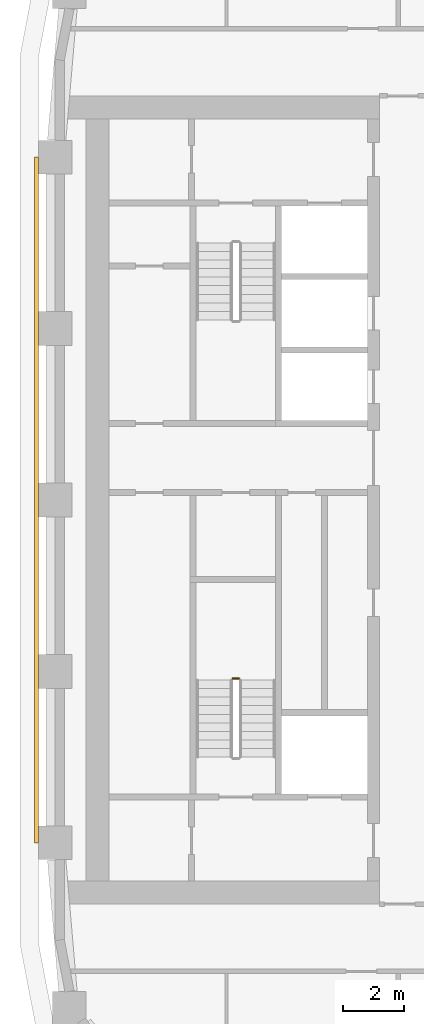
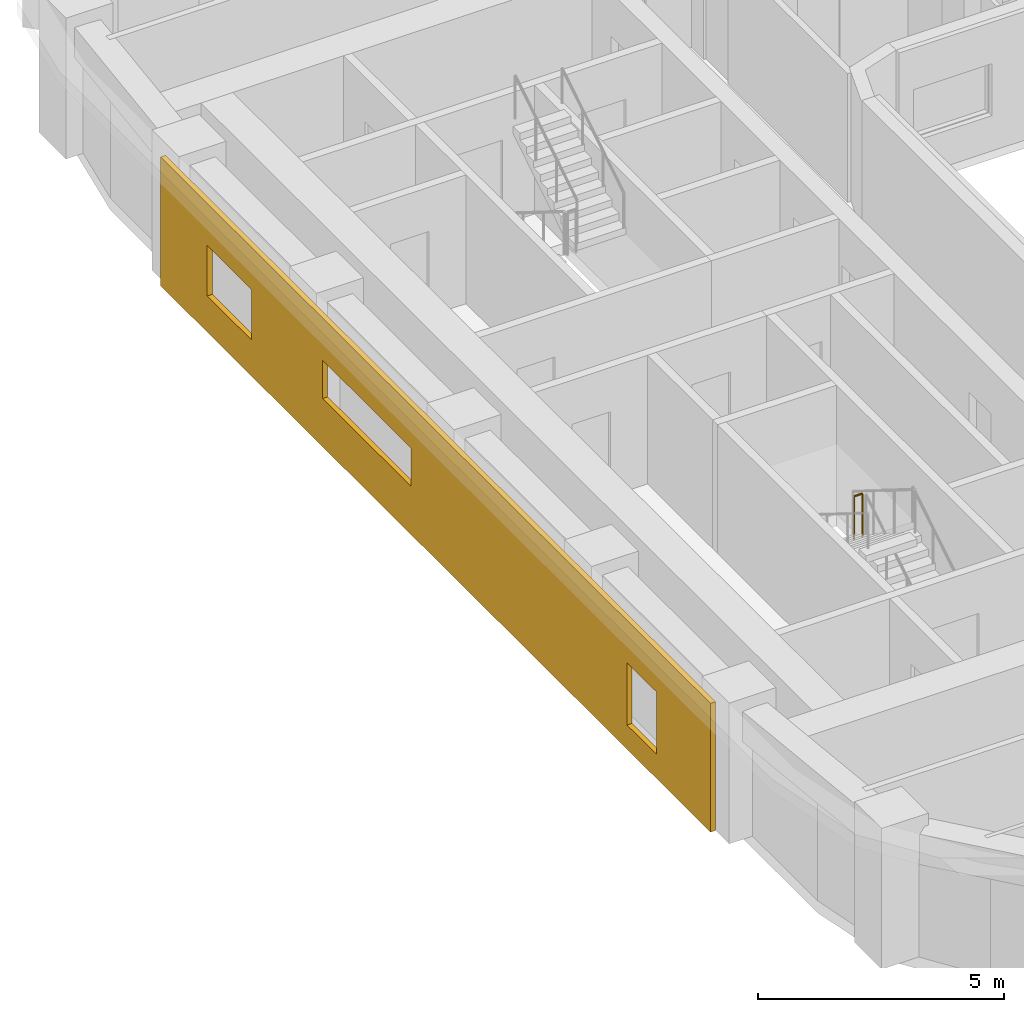
# One storey, part 13 of 22: 1 covering, 1 railing.
"""IFC4 building model written with IfcOpenShell, lengths in metres."""

from ifc_helpers import new_model, si_unit, direction, frame, origin, origin_2d, place, context, subcontext, project, spatial, polyline, circle, outline, extrude, material, layer, layer_set, type_object, element, save


model = new_model("IFC4")

# Units and contexts
model_context = context("Model", 3, precision=1e-05, world=origin(), true_north=direction((0.0, 1.0)))
body_context = subcontext(model_context, "Body", "Model", "MODEL_VIEW")
ifc_project = project(units=[si_unit("LENGTHUNIT", "METRE"), si_unit("AREAUNIT", "SQUARE_METRE"), si_unit("VOLUMEUNIT", "CUBIC_METRE"), si_unit("PLANEANGLEUNIT", "RADIAN"), si_unit("MASSUNIT", "GRAM", prefix="KILO")], contexts=[model_context])

# Site, building, storey
site_placement = place(None, origin())
site = spatial("IfcSite", under=ifc_project, at=site_placement, CompositionType="ELEMENT")
building_placement = place(site_placement, origin())
building = spatial("IfcBuilding", under=site, at=building_placement, Name="Kiln Ring Residences", CompositionType="ELEMENT")
storey_placement = place(building_placement, frame((0.0, 0.0, 143.10009765625)))
storey = spatial("IfcBuildingStorey", under=building, at=storey_placement, Name="L36", CompositionType="ELEMENT", Elevation=143.10009765625)

# Railing
ifc_material_1 = material(Name="Stainless steel", Category="steel")
railing_type = type_object("IfcRailingType", Name="CORE-STAIR-GUARD", PredefinedType="GUARDRAIL", material=ifc_material_1)
railing_placement = place(storey_placement, frame((-22.0, -5.830078125, 1.75)))
element("IfcRailing", 1, at=railing_placement, inside=storey, type_object=railing_type, Name="L36 W-STS stair guard 2", PredefinedType="GUARDRAIL", context=body_context, shape_type="SweptSolid", body=[
    extrude(circle(Radius=0.02392578125, at=origin_2d()), frame((0.0, 0.0, 1.076171875), z_axis=(-1.0, 0.0, 0.0), x_axis=(0.0, -1.0, 0.0)), (0.0, 0.0, 1.0), 0.199951171875),
    extrude(circle(Radius=0.02099609375, at=origin_2d()), origin(), (0.0, 0.0, 1.0), 1.052001953125),
    extrude(circle(Radius=0.02099609375, at=origin_2d()), frame((-0.199951171875, 0.0, 0.0)), (0.0, 0.0, 1.0), 1.052001953125),
])

# Covering
ifc_material_2 = material(Name="Brick masonry, dark clay brick", Category="masonry")
ifc_layer = layer(ifc_material_2, 0.1201171875)
ifc_layer_set = layer_set([ifc_layer], Name="RAINSCREEN PANEL 120")
covering_type = type_object("IfcCoveringType", Name="RAINSCREEN PANEL 120", PredefinedType="CLADDING", material=ifc_layer_set)
covering_placement = place(storey_placement, frame((-28.610107421875, 11.199951171875, 0.0), z_axis=(0.0, 0.0, 1.0), x_axis=(0.0, -1.0, 0.0)))
element("IfcCovering", 2, at=covering_placement, inside=storey, type_object=covering_type, Name="RAINSCREEN L36", PredefinedType="CLADDING", context=body_context, shape_type="SweptSolid", body=[
    extrude(outline(polyline([(0.0, 0.0), (22.39990234375, 0.0), (22.39990234375, 3.199951171875), (0.0, 3.199951171875), (0.0, 0.0)]), holes=[polyline([(20.199951171875, 2.14990234375), (19.0, 2.14990234375), (19.0, 0.599853515625), (20.199951171875, 0.599853515625), (20.199951171875, 2.14990234375)]), polyline([(3.699951171875, 0.89990234375), (3.699951171875, 2.14990234375), (1.89990234375, 2.14990234375), (1.89990234375, 0.89990234375), (3.699951171875, 0.89990234375)]), polyline([(10.199951171875, 1.199951171875), (10.199951171875, 2.14990234375), (6.60009765625, 2.14990234375), (6.60009765625, 1.199951171875), (10.199951171875, 1.199951171875)])]), frame((0.0, 0.06005859375, 0.0), z_axis=(0.0, -1.0, 0.0), x_axis=(1.0, 0.0, 0.0)), (0.0, 0.0, 1.0), 0.1201171875),
])

save(model, "model.ifc")
